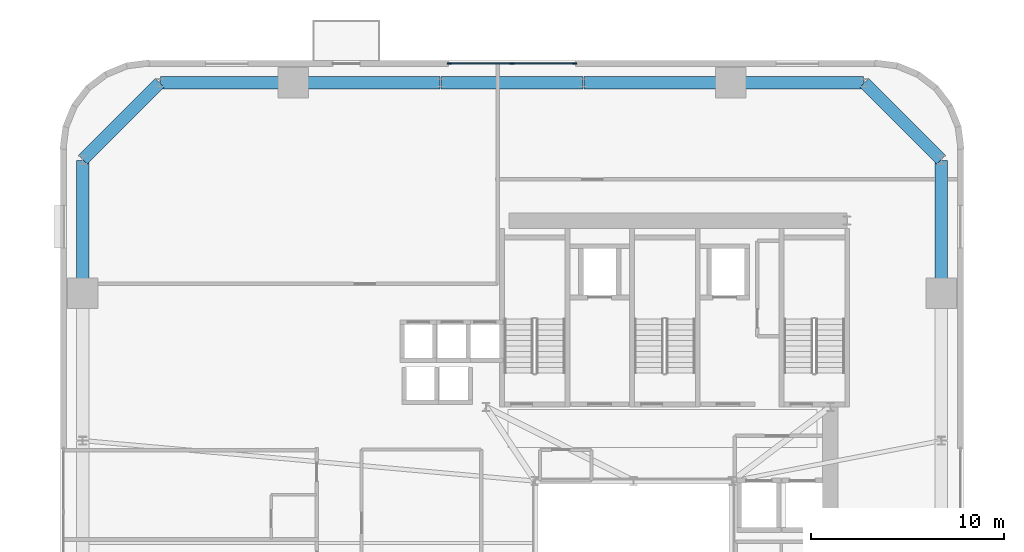
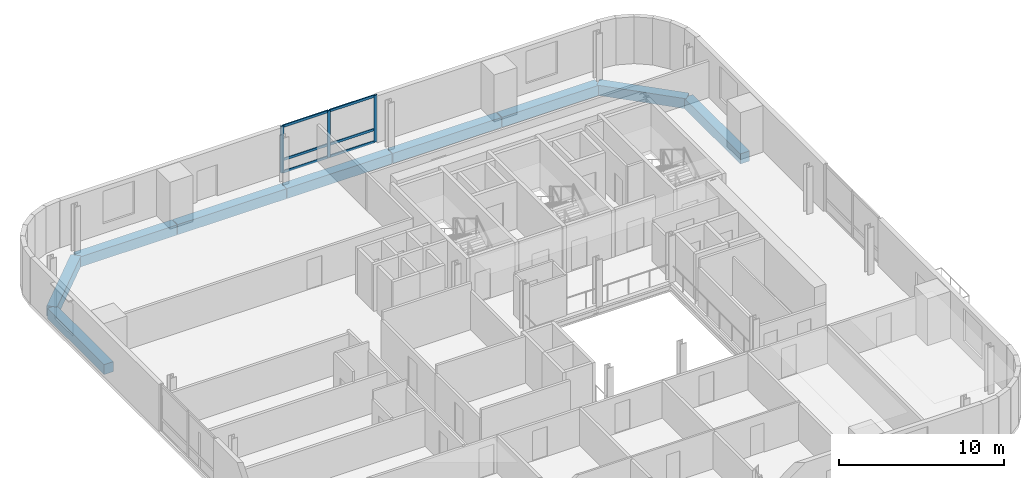
# One storey, part 4 of 14: 9 beams, 9 members, 1 element without a shape of its own.
"""IFC4 building model written with IfcOpenShell, lengths in metres."""

from ifc_helpers import new_model, si_unit, direction, frame, origin, origin_2d, place, context, subcontext, project, spatial, rectangle, extrude, source, transform, mapped, material, material_profile, profile_set, type_object, element, aggregate, save


model = new_model("IFC4")

# Units and contexts
model_context = context("Model", 3, precision=1e-05, world=origin(), true_north=direction((0.0, 1.0)))
body_context = subcontext(model_context, "Body", "Model", "MODEL_VIEW")
ifc_project = project(units=[si_unit("LENGTHUNIT", "METRE"), si_unit("AREAUNIT", "SQUARE_METRE"), si_unit("VOLUMEUNIT", "CUBIC_METRE"), si_unit("PLANEANGLEUNIT", "RADIAN"), si_unit("MASSUNIT", "GRAM", prefix="KILO")], contexts=[model_context])

# Site, building, storey
site_placement = place(None, origin())
site = spatial("IfcSite", under=ifc_project, at=site_placement, CompositionType="ELEMENT")
building_placement = place(site_placement, origin())
building = spatial("IfcBuilding", under=site, at=building_placement, Name="Vardaveli Station Tower", CompositionType="ELEMENT")
storey_placement = place(building_placement, frame((0.0, 0.0, 144.60009765625)))
storey = spatial("IfcBuildingStorey", under=building, at=storey_placement, Name="L37", CompositionType="ELEMENT", Elevation=144.60009765625)

# Beams
ifc_material_1 = material(Name="Precast concrete C45/55", Category="concrete")
ifc_material_profile_1 = material_profile(ifc_material_1, rectangle(XDim=0.64990234375, YDim=0.75, at=origin_2d()), Name="LPB 650x750")
ifc_profile_set_1 = profile_set([ifc_material_profile_1], Name="Precast concrete C45/55")
beam_type = type_object("IfcBeamType", Name="BM-LPB-750", PredefinedType="BEAM", material=ifc_profile_set_1)
shared_shape_1 = source(origin(), body_context, "Body", "SweptSolid", [
    extrude(rectangle(XDim=0.64990234375, YDim=0.75, at=origin_2d()), origin(), (0.0, 0.0, 1.0), 7.60009765625),
])
for number, where, z_axis, x_axis, name in (
    (1, (41.320068359375, 47.449951171875, -0.614990234375), (-1.0, 0.0, 0.0), (0.0, -1.0, 0.0), "RBM-L37-13"),
    (2, (26.280029296875, 47.449951171875, -0.614990234375), (-1.0, 0.0, 0.0), (0.0, -1.0, 0.0), "RBM-L37-15"),
):
    element("IfcBeam", number, at=place(storey_placement, frame(where, z_axis=z_axis, x_axis=x_axis)), inside=storey, type_object=beam_type, Name=name, PredefinedType="BEAM", context=body_context, shape_type="MappedRepresentation", body=[
        mapped(shared_shape_1, transform((0.0, 0.0, 0.0), scale=1.0)),
    ])
shared_shape_2 = source(origin(), body_context, "Body", "SweptSolid", [
    extrude(rectangle(XDim=0.64990234375, YDim=0.75, at=origin_2d()), origin(), (0.0, 0.0, 1.0), 7.35986328125),
])
beam_placement = place(storey_placement, frame((33.679931640625, 47.449951171875, -0.614990234375), z_axis=(-1.0, 0.0, 0.0), x_axis=(0.0, -1.0, 0.0)))
element("IfcBeam", 3, at=beam_placement, inside=storey, type_object=beam_type, Name="RBM-L37-14", PredefinedType="BEAM", context=body_context, shape_type="MappedRepresentation", body=[
    mapped(shared_shape_2, transform((0.0, 0.0, 0.0), scale=1.0)),
])
shared_shape_3 = source(origin(), body_context, "Body", "SweptSolid", [
    extrude(rectangle(XDim=0.64990234375, YDim=0.75, at=origin_2d()), origin(), (0.0, 0.0, 1.0), 6.869873046875),
])
for number, where, z_axis, x_axis, name in (
    (4, (52.25, 36.56005859375, -0.614990234375), (0.0, 1.0, 0.0), (-1.0, 0.0, 0.0), "RBM-L37-10"),
    (5, (48.22998046875, 47.449951171875, -0.614990234375), (-1.0, 0.0, 0.0), (0.0, -1.0, 0.0), "RBM-L37-12"),
    (6, (18.639892578125, 47.449951171875, -0.614990234375), (-1.0, 0.0, 0.0), (0.0, -1.0, 0.0), "RBM-L37-16"),
    (7, (7.75, 43.429931640625, -0.614990234375), (0.0, -1.0, 0.0), (1.0, 0.0, 0.0), "RBM-L37-18"),
):
    element("IfcBeam", number, at=place(storey_placement, frame(where, z_axis=z_axis, x_axis=x_axis)), inside=storey, type_object=beam_type, Name=name, PredefinedType="BEAM", context=body_context, shape_type="MappedRepresentation", body=[
        mapped(shared_shape_3, transform((0.0, 0.0, 0.0), scale=1.0)),
    ])
shared_shape_4 = source(origin(), body_context, "Body", "SweptSolid", [
    extrude(rectangle(XDim=0.64990234375, YDim=0.75, at=origin_2d()), origin(), (0.0, 0.0, 1.0), 5.61669921875),
])
for number, where, z_axis, x_axis, name in (
    (8, (52.23583984375, 43.464111328125, -0.614990234375), (-0.707106781187, 0.707106781187, 0.0), (-0.707106781187, -0.707106781187, 0.0), "RBM-L37-11"),
    (9, (11.73583984375, 47.435791015625, -0.614990234375), (-0.707106781187, -0.707106781187, 0.0), (0.707106781187, -0.707106781187, 0.0), "RBM-L37-17"),
):
    element("IfcBeam", number, at=place(storey_placement, frame(where, z_axis=z_axis, x_axis=x_axis)), inside=storey, type_object=beam_type, Name=name, PredefinedType="BEAM", context=body_context, shape_type="MappedRepresentation", body=[
        mapped(shared_shape_4, transform((0.0, 0.0, 0.0), scale=1.0)),
    ])

# Curtain wall, members
ifc_material_2 = material(Name="Travertine stone and solar-control glass", Category="masonry")
curtain_wall_type = type_object("IfcCurtainWallType", Name="CW-SYS-2", PredefinedType="NOTDEFINED", material=ifc_material_2)
curtain_wall_placement = place(storey_placement, origin())
curtain_wall = element("IfcCurtainWall", 10, at=curtain_wall_placement, inside=storey, type_object=curtain_wall_type, Name="CW-L37-N", PredefinedType="NOTDEFINED")
ifc_material_3 = material(Name="Anodised aluminium alloy 6063-T6", Category="aluminium")
ifc_material_profile_2 = material_profile(ifc_material_3, rectangle(XDim=0.0849609375, YDim=0.179931640625, at=origin_2d()), Name="CWT 85x180")
ifc_profile_set_2 = profile_set([ifc_material_profile_2], Name="Anodised aluminium alloy 6063-T6")
member_type_1 = type_object("IfcMemberType", Name="CW-SYS-2-TRAN", PredefinedType="NOTDEFINED", material=ifc_profile_set_2)
shared_shape_5 = source(origin(), body_context, "Body", "SweptSolid", [
    extrude(rectangle(XDim=0.0849609375, YDim=0.179931640625, at=origin_2d()), origin(), (0.0, 0.0, 1.0), 3.172607421875),
])
member_1_placement = place(storey_placement, frame((33.215087890625, 48.43994140625, 0.04248046875), z_axis=(-1.0, 0.0, 0.0), x_axis=(0.0, -1.0, 0.0)))
member_1 = element("IfcMember", 11, at=member_1_placement, type_object=member_type_1, Name="CW-2 transom 1.1", ObjectType="TRANSOM", PredefinedType="USERDEFINED", context=body_context, shape_type="MappedRepresentation", body=[
    mapped(shared_shape_5, transform((0.0, 0.0, 0.0), scale=1.0)),
])
member_2_placement = place(storey_placement, frame((33.215087890625, 48.43994140625, 0.949951171875), z_axis=(-1.0, 0.0, 0.0), x_axis=(0.0, -1.0, 0.0)))
member_2 = element("IfcMember", 12, at=member_2_placement, type_object=member_type_1, Name="CW-2 transom 1.2", ObjectType="TRANSOM", PredefinedType="USERDEFINED", context=body_context, shape_type="MappedRepresentation", body=[
    mapped(shared_shape_5, transform((0.0, 0.0, 0.0), scale=1.0)),
])
member_3_placement = place(storey_placement, frame((33.215087890625, 48.43994140625, 3.41748046875), z_axis=(-1.0, 0.0, 0.0), x_axis=(0.0, -1.0, 0.0)))
member_3 = element("IfcMember", 13, at=member_3_placement, type_object=member_type_1, Name="CW-2 transom 1.3", ObjectType="TRANSOM", PredefinedType="USERDEFINED", context=body_context, shape_type="MappedRepresentation", body=[
    mapped(shared_shape_5, transform((0.0, 0.0, 0.0), scale=1.0)),
])
member_4_placement = place(storey_placement, frame((29.95751953125, 48.43994140625, 0.04248046875), z_axis=(-1.0, 0.0, 0.0), x_axis=(0.0, -1.0, 0.0)))
member_4 = element("IfcMember", 14, at=member_4_placement, type_object=member_type_1, Name="CW-2 transom 2.1", ObjectType="TRANSOM", PredefinedType="USERDEFINED", context=body_context, shape_type="MappedRepresentation", body=[
    mapped(shared_shape_5, transform((0.0, 0.0, 0.0), scale=1.0)),
])
member_5_placement = place(storey_placement, frame((29.95751953125, 48.43994140625, 0.949951171875), z_axis=(-1.0, 0.0, 0.0), x_axis=(0.0, -1.0, 0.0)))
member_5 = element("IfcMember", 15, at=member_5_placement, type_object=member_type_1, Name="CW-2 transom 2.2", ObjectType="TRANSOM", PredefinedType="USERDEFINED", context=body_context, shape_type="MappedRepresentation", body=[
    mapped(shared_shape_5, transform((0.0, 0.0, 0.0), scale=1.0)),
])
member_6_placement = place(storey_placement, frame((29.95751953125, 48.43994140625, 3.41748046875), z_axis=(-1.0, 0.0, 0.0), x_axis=(0.0, -1.0, 0.0)))
member_6 = element("IfcMember", 16, at=member_6_placement, type_object=member_type_1, Name="CW-2 transom 2.3", ObjectType="TRANSOM", PredefinedType="USERDEFINED", context=body_context, shape_type="MappedRepresentation", body=[
    mapped(shared_shape_5, transform((0.0, 0.0, 0.0), scale=1.0)),
])
ifc_material_profile_3 = material_profile(ifc_material_3, rectangle(XDim=0.0849609375, YDim=0.219970703125, at=origin_2d()), Name="CWM 85x220")
ifc_profile_set_3 = profile_set([ifc_material_profile_3], Name="Anodised aluminium alloy 6063-T6")
member_type_2 = type_object("IfcMemberType", Name="CW-SYS-2-MULL", PredefinedType="MULLION", material=ifc_profile_set_3)
shared_shape_6 = source(origin(), body_context, "Body", "SweptSolid", [
    extrude(rectangle(XDim=0.0849609375, YDim=0.219970703125, at=origin_2d()), origin(), (0.0, 0.0, 1.0), 3.4599609375),
])
member_7_placement = place(storey_placement, frame((33.257568359375, 48.43994140625, 0.0), z_axis=(0.0, 0.0, 1.0), x_axis=(0.0, -1.0, 0.0)))
member_7 = element("IfcMember", 17, at=member_7_placement, type_object=member_type_2, Name="CW-2 mullion 1", PredefinedType="MULLION", context=body_context, shape_type="MappedRepresentation", body=[
    mapped(shared_shape_6, transform((0.0, 0.0, 0.0), scale=1.0)),
])
member_8_placement = place(storey_placement, frame((30.0, 48.43994140625, 0.0), z_axis=(0.0, 0.0, 1.0), x_axis=(0.0, -1.0, 0.0)))
member_8 = element("IfcMember", 18, at=member_8_placement, type_object=member_type_2, Name="CW-2 mullion 2", PredefinedType="MULLION", context=body_context, shape_type="MappedRepresentation", body=[
    mapped(shared_shape_6, transform((0.0, 0.0, 0.0), scale=1.0)),
])
member_9_placement = place(storey_placement, frame((26.742431640625, 48.43994140625, 0.0), z_axis=(0.0, 0.0, 1.0), x_axis=(0.0, -1.0, 0.0)))
member_9 = element("IfcMember", 19, at=member_9_placement, type_object=member_type_2, Name="CW-2 mullion 3", PredefinedType="MULLION", context=body_context, shape_type="MappedRepresentation", body=[
    mapped(shared_shape_6, transform((0.0, 0.0, 0.0), scale=1.0)),
])
aggregate(curtain_wall, [member_7, member_8, member_9, member_1, member_2, member_3, member_4, member_5, member_6])

save(model, "model.ifc")
